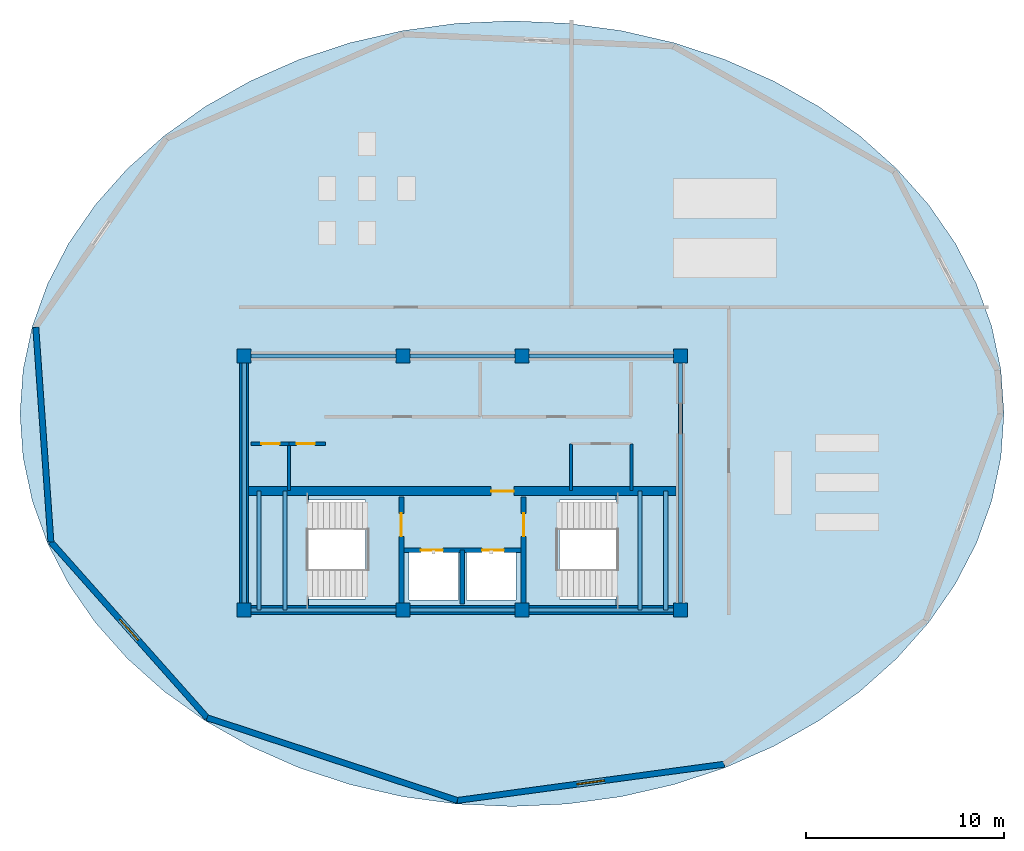
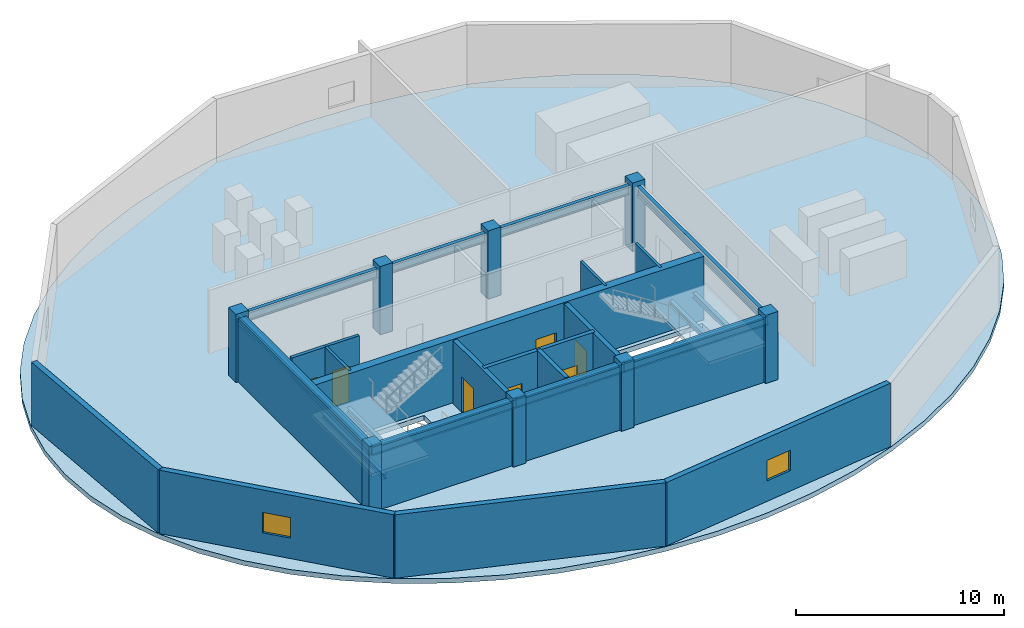
# One storey, part 1 of 5: 16 walls, 12 beams, 8 columns, 7 doors, 3 slabs, 2 windows, 9 openings, 2 elements without a shape of their own.
"""IFC4 building model written with IfcOpenShell, lengths in metres."""

from ifc_helpers import new_model, si_unit, direction, frame, frame_2d, origin, origin_2d, place, context, subcontext, project, spatial, polyline, rectangle, i_section, outline, extrude, material, layer, layer_set, material_profile, profile_set, type_object, element, fill, aggregate, save


model = new_model("IFC4")

# Units and contexts
model_context = context("Model", 3, precision=1e-05, world=origin(), true_north=direction((0.0, 1.0)))
body_context = subcontext(model_context, "Body", "Model", "MODEL_VIEW")
ifc_project = project(units=[si_unit("LENGTHUNIT", "METRE"), si_unit("AREAUNIT", "SQUARE_METRE"), si_unit("VOLUMEUNIT", "CUBIC_METRE"), si_unit("PLANEANGLEUNIT", "RADIAN"), si_unit("MASSUNIT", "GRAM", prefix="KILO")], contexts=[model_context])

# Site, building, storey
site_placement = place(None, origin())
site = spatial("IfcSite", under=ifc_project, at=site_placement, CompositionType="ELEMENT")
building_placement = place(site_placement, origin())
building = spatial("IfcBuilding", under=site, at=building_placement, Name="Kazevale Care Tower and Concert Hall", CompositionType="ELEMENT")
storey_placement = place(building_placement, frame((0.0, 0.0, 304.800048828125)))
storey = spatial("IfcBuildingStorey", under=building, at=storey_placement, Name="L80", CompositionType="ELEMENT", Elevation=304.800048828125)

# Columns
ifc_material_1 = material(Name="Concrete C50", Category="concrete")
ifc_material_profile_1 = material_profile(ifc_material_1, rectangle(XDim=0.699951171875, YDim=0.699951171875, at=origin_2d()), Name="RC-SQ700")
ifc_profile_set_1 = profile_set([ifc_material_profile_1], Name="Concrete C50")
column_type = type_object("IfcColumnType", Name="Core Column SQ700 C50", PredefinedType="COLUMN", material=ifc_profile_set_1)
for number, where, z_axis, x_axis, name in (
    (1, (22.0, 23.60009765625, 0.0), (0.0, 0.0, 1.0), (1.0, 0.0, 0.0), "col:L80:CC-01"),
    (2, (30.0, 23.60009765625, 0.0), (0.0, 0.0, 1.0), (1.0, 0.0, 0.0), "col:L80:CC-02"),
    (3, (36.0, 23.60009765625, 0.0), (0.0, 0.0, 1.0), (1.0, 0.0, 0.0), "col:L80:CC-03"),
    (4, (44.0, 23.60009765625, 0.0), (0.0, 0.0, 1.0), (1.0, 0.0, 0.0), "col:L80:CC-04"),
    (5, (44.0, 36.39990234375, 0.0), (0.0, 0.0, 1.0), (1.0, 0.0, 0.0), "col:L80:CC-05"),
    (6, (36.0, 36.39990234375, 0.0), (0.0, 0.0, 1.0), (1.0, 0.0, 0.0), "col:L80:CC-06"),
    (7, (30.0, 36.39990234375, 0.0), (0.0, 0.0, 1.0), (1.0, 0.0, 0.0), "col:L80:CC-07"),
    (8, (22.0, 36.39990234375, 0.0), (0.0, 0.0, 1.0), (1.0, 0.0, 0.0), "col:L80:CC-08"),
):
    element("IfcColumn", number, at=place(storey_placement, frame(where, z_axis=z_axis, x_axis=x_axis)), inside=storey, type_object=column_type, Name=name, PredefinedType="COLUMN", context=body_context, shape_type="SweptSolid", body=[
        extrude(rectangle(XDim=0.699951171875, YDim=0.699951171875, at=origin_2d()), origin(), (0.0, 0.0, 1.0), 4.0),
    ])

# Beams
ifc_material_2 = material(Name="Steel ASTM A572 Gr 50", Category="steel")
ifc_material_profile_2 = material_profile(ifc_material_2, i_section(OverallWidth=0.202880859375, OverallDepth=0.302978515625, WebThickness=0.007568359375, FlangeThickness=0.01318359375, at=origin_2d()), Name="W310x60")
ifc_profile_set_2 = profile_set([ifc_material_profile_2], Name="Steel ASTM A572 Gr 50")
beam_type_1 = type_object("IfcBeamType", Name="Stair & Balcony Trimmer W310x60", PredefinedType="BEAM", material=ifc_profile_set_2)
for number, where, z_axis, x_axis, name in (
    (9, (22.75, 23.60009765625, 1.6484375), (0.0, 1.0, 0.0), (-1.0, 0.0, 0.0), "beam:L80:sttrim:ST1"),
    (10, (24.050048828125, 23.60009765625, 1.6484375), (0.0, 1.0, 0.0), (-1.0, 0.0, 0.0), "beam:L80:sttrim:ST1b"),
    (11, (41.949951171875, 23.60009765625, 1.6484375), (0.0, 1.0, 0.0), (-1.0, 0.0, 0.0), "beam:L80:sttrim:ST2"),
    (12, (43.25, 23.60009765625, 1.6484375), (0.0, 1.0, 0.0), (-1.0, 0.0, 0.0), "beam:L80:sttrim:ST2b"),
):
    element("IfcBeam", number, at=place(storey_placement, frame(where, z_axis=z_axis, x_axis=x_axis)), inside=storey, type_object=beam_type_1, Name=name, PredefinedType="BEAM", context=body_context, shape_type="SweptSolid", body=[
        extrude(i_section(OverallWidth=0.202880859375, OverallDepth=0.302978515625, WebThickness=0.007568359375, FlangeThickness=0.01318359375, at=origin_2d()), origin(), (0.0, 0.0, 1.0), 6.0),
    ])
ifc_material_profile_3 = material_profile(ifc_material_2, i_section(OverallWidth=0.208984375, OverallDepth=0.532958984375, WebThickness=0.01025390625, FlangeThickness=0.015625, at=origin_2d()), Name="W530x92")
ifc_profile_set_3 = profile_set([ifc_material_profile_3], Name="Steel ASTM A572 Gr 50")
beam_type_2 = type_object("IfcBeamType", Name="Upper Ring Beam W530x92", PredefinedType="BEAM", material=ifc_profile_set_3)
beam_1_placement = place(storey_placement, frame((22.0, 23.60009765625, 3.453369140625), z_axis=(1.0, 0.0, 0.0), x_axis=(0.0, 1.0, 0.0)))
element("IfcBeam", 13, at=beam_1_placement, inside=storey, type_object=beam_type_2, Name="beam:L80:drum:1", PredefinedType="BEAM", context=body_context, shape_type="SweptSolid", body=[
    extrude(i_section(OverallWidth=0.208984375, OverallDepth=0.532958984375, WebThickness=0.01025390625, FlangeThickness=0.015625, at=origin_2d()), origin(), (0.0, 0.0, 1.0), 8.0),
])
beam_2_placement = place(storey_placement, frame((30.0, 23.60009765625, 3.453369140625), z_axis=(1.0, 0.0, 0.0), x_axis=(0.0, 1.0, 0.0)))
element("IfcBeam", 14, at=beam_2_placement, inside=storey, type_object=beam_type_2, Name="beam:L80:drum:2", PredefinedType="BEAM", context=body_context, shape_type="SweptSolid", body=[
    extrude(i_section(OverallWidth=0.208984375, OverallDepth=0.532958984375, WebThickness=0.01025390625, FlangeThickness=0.015625, at=origin_2d()), origin(), (0.0, 0.0, 1.0), 6.0),
])
beam_3_placement = place(storey_placement, frame((36.0, 23.60009765625, 3.453369140625), z_axis=(1.0, 0.0, 0.0), x_axis=(0.0, 1.0, 0.0)))
element("IfcBeam", 15, at=beam_3_placement, inside=storey, type_object=beam_type_2, Name="beam:L80:drum:3", PredefinedType="BEAM", context=body_context, shape_type="SweptSolid", body=[
    extrude(i_section(OverallWidth=0.208984375, OverallDepth=0.532958984375, WebThickness=0.01025390625, FlangeThickness=0.015625, at=origin_2d()), origin(), (0.0, 0.0, 1.0), 8.0),
])
beam_4_placement = place(storey_placement, frame((44.0, 23.60009765625, 3.453369140625), z_axis=(0.0, 1.0, 0.0), x_axis=(-1.0, 0.0, 0.0)))
element("IfcBeam", 16, at=beam_4_placement, inside=storey, type_object=beam_type_2, Name="beam:L80:drum:4", PredefinedType="BEAM", context=body_context, shape_type="SweptSolid", body=[
    extrude(i_section(OverallWidth=0.208984375, OverallDepth=0.532958984375, WebThickness=0.01025390625, FlangeThickness=0.015625, at=origin_2d()), origin(), (0.0, 0.0, 1.0), 12.7998046875),
])
beam_5_placement = place(storey_placement, frame((44.0, 36.39990234375, 3.453369140625), z_axis=(-1.0, 0.0, 0.0), x_axis=(0.0, -1.0, 0.0)))
element("IfcBeam", 17, at=beam_5_placement, inside=storey, type_object=beam_type_2, Name="beam:L80:drum:5", PredefinedType="BEAM", context=body_context, shape_type="SweptSolid", body=[
    extrude(i_section(OverallWidth=0.208984375, OverallDepth=0.532958984375, WebThickness=0.01025390625, FlangeThickness=0.015625, at=origin_2d()), origin(), (0.0, 0.0, 1.0), 8.0),
])
beam_6_placement = place(storey_placement, frame((36.0, 36.39990234375, 3.453369140625), z_axis=(-1.0, 0.0, 0.0), x_axis=(0.0, -1.0, 0.0)))
element("IfcBeam", 18, at=beam_6_placement, inside=storey, type_object=beam_type_2, Name="beam:L80:drum:6", PredefinedType="BEAM", context=body_context, shape_type="SweptSolid", body=[
    extrude(i_section(OverallWidth=0.208984375, OverallDepth=0.532958984375, WebThickness=0.01025390625, FlangeThickness=0.015625, at=origin_2d()), origin(), (0.0, 0.0, 1.0), 6.0),
])
beam_7_placement = place(storey_placement, frame((30.0, 36.39990234375, 3.453369140625), z_axis=(-1.0, 0.0, 0.0), x_axis=(0.0, -1.0, 0.0)))
element("IfcBeam", 19, at=beam_7_placement, inside=storey, type_object=beam_type_2, Name="beam:L80:drum:7", PredefinedType="BEAM", context=body_context, shape_type="SweptSolid", body=[
    extrude(i_section(OverallWidth=0.208984375, OverallDepth=0.532958984375, WebThickness=0.01025390625, FlangeThickness=0.015625, at=origin_2d()), origin(), (0.0, 0.0, 1.0), 8.0),
])
beam_8_placement = place(storey_placement, frame((22.0, 36.39990234375, 3.453369140625), z_axis=(0.0, -1.0, 0.0), x_axis=(1.0, 0.0, 0.0)))
element("IfcBeam", 20, at=beam_8_placement, inside=storey, type_object=beam_type_2, Name="beam:L80:drum:8", PredefinedType="BEAM", context=body_context, shape_type="SweptSolid", body=[
    extrude(i_section(OverallWidth=0.208984375, OverallDepth=0.532958984375, WebThickness=0.01025390625, FlangeThickness=0.015625, at=origin_2d()), origin(), (0.0, 0.0, 1.0), 12.7998046875),
])

# Slab
ifc_material_3 = material(Name="Concrete C40", Category="concrete")
ifc_layer_1 = layer(ifc_material_3, 0.280029296875)
ifc_layer_set_1 = layer_set([ifc_layer_1], Name="Concrete C40")
slab_type_1 = type_object("IfcSlabType", Name="Crown Plant Floor Slab 280", PredefinedType="FLOOR", material=ifc_layer_set_1)
slab_1_placement = place(storey_placement, frame((0.0, 0.0, -0.280029296875)))
element("IfcSlab", 21, at=slab_1_placement, inside=storey, type_object=slab_type_1, Name="slab:L80:tw:1", PredefinedType="FLOOR", context=body_context, shape_type="SweptSolid", body=[
    extrude(outline(polyline([(60.300048828125, 33.5), (60.14404296875, 35.716796875), (59.67822265625, 37.906005859375), (58.908203125, 40.03955078125), (57.843994140625, 42.0908203125), (56.498779296875, 44.0341796875), (54.889404296875, 45.84521484375), (53.0361328125, 47.500732421875), (50.96240234375, 48.980224609375), (48.6943359375, 50.26513671875), (46.26025390625, 51.339111328125), (43.69091796875, 52.18896484375), (41.0185546875, 52.8037109375), (38.276611328125, 53.175537109375), (35.5, 53.300048828125), (32.723388671875, 53.175537109375), (29.9814453125, 52.8037109375), (27.30908203125, 52.18896484375), (24.73974609375, 51.339111328125), (22.3056640625, 50.26513671875), (20.03759765625, 48.980224609375), (17.9638671875, 47.500732421875), (16.110595703125, 45.84521484375), (14.501220703125, 44.0341796875), (13.156005859375, 42.0908203125), (12.091796875, 40.03955078125), (11.32177734375, 37.906005859375), (10.85595703125, 35.716796875), (10.699951171875, 33.5), (10.85595703125, 31.283203125), (11.32177734375, 29.093994140625), (12.091796875, 26.96044921875), (13.156005859375, 24.9091796875), (14.501220703125, 22.9658203125), (16.110595703125, 21.15478515625), (17.9638671875, 19.499267578125), (20.03759765625, 18.019775390625), (22.3056640625, 16.73486328125), (24.73974609375, 15.660888671875), (27.30908203125, 14.81103515625), (29.9814453125, 14.1962890625), (32.723388671875, 13.824462890625), (35.5, 13.699951171875), (38.276611328125, 13.824462890625), (41.0185546875, 14.1962890625), (43.69091796875, 14.81103515625), (46.26025390625, 15.660888671875), (48.6943359375, 16.73486328125), (50.96240234375, 18.019775390625), (53.0361328125, 19.499267578125), (54.889404296875, 21.15478515625), (56.498779296875, 22.9658203125), (57.843994140625, 24.9091796875), (58.908203125, 26.96044921875), (59.67822265625, 29.093994140625), (60.14404296875, 31.283203125), (60.300048828125, 33.5)]), holes=[polyline([(22.449951171875, 24.14990234375), (28.110107421875, 24.14990234375), (28.110107421875, 29.14990234375), (22.449951171875, 29.14990234375), (22.449951171875, 24.14990234375)]), polyline([(37.889892578125, 24.14990234375), (43.550048828125, 24.14990234375), (43.550048828125, 29.14990234375), (37.889892578125, 29.14990234375), (37.889892578125, 24.14990234375)]), polyline([(30.300048828125, 24.10009765625), (32.800048828125, 24.10009765625), (32.800048828125, 26.60009765625), (30.300048828125, 26.60009765625), (30.300048828125, 24.10009765625)]), polyline([(33.199951171875, 24.10009765625), (35.699951171875, 24.10009765625), (35.699951171875, 26.60009765625), (33.199951171875, 26.60009765625), (33.199951171875, 24.10009765625)])]), origin(), (0.0, 0.0, 1.0), 0.280029296875),
])

# Stair, slab
stair_type = type_object("IfcStairType", Name="Exit Stair Assembly ST1-C", PredefinedType="HALF_TURN_STAIR", material=ifc_material_3)
stair_1_placement = place(storey_placement, origin())
stair_1 = element("IfcStair", 22, at=stair_1_placement, inside=storey, type_object=stair_type, Name="stair:L80:ST1", PredefinedType="HALF_TURN_STAIR")
ifc_layer_2 = layer(ifc_material_3, 0.199951171875)
ifc_layer_set_2 = layer_set([ifc_layer_2], Name="Concrete C40")
slab_type_2 = type_object("IfcSlabType", Name="Stair Half-Landing Slab ST1-C", PredefinedType="LANDING", material=ifc_layer_set_2)
slab_2_placement = place(storey_placement, frame((0.0, 0.0, 1.800048828125)))
slab_2 = element("IfcSlab", 23, at=slab_2_placement, type_object=slab_type_2, Name="ST1-C landing 1", PredefinedType="LANDING", context=body_context, shape_type="SweptSolid", body=[
    extrude(outline(polyline([(22.050048828125, 23.699951171875), (25.25, 23.699951171875), (25.25, 29.5), (22.050048828125, 29.5), (22.050048828125, 23.699951171875)])), origin(), (0.0, 0.0, 1.0), 0.199951171875),
])
aggregate(stair_1, [slab_2])

stair_2_placement = place(storey_placement, origin())
stair_2 = element("IfcStair", 24, at=stair_2_placement, inside=storey, type_object=stair_type, Name="stair:L80:ST2", PredefinedType="HALF_TURN_STAIR")
slab_3_placement = place(storey_placement, frame((0.0, 0.0, 1.800048828125)))
slab_3 = element("IfcSlab", 25, at=slab_3_placement, type_object=slab_type_2, Name="ST1-C landing 1", PredefinedType="LANDING", context=body_context, shape_type="SweptSolid", body=[
    extrude(outline(polyline([(40.75, 23.699951171875), (43.949951171875, 23.699951171875), (43.949951171875, 29.5), (40.75, 29.5), (40.75, 23.699951171875)])), origin(), (0.0, 0.0, 1.0), 0.199951171875),
])
aggregate(stair_2, [slab_3])

# Walls
ifc_material_4 = material(Name="Acoustic Gypsum on Steel Stud", Category="steel")
ifc_layer_3 = layer(ifc_material_4, 0.139892578125)
ifc_layer_set_3 = layer_set([ifc_layer_3], Name="Acoustic Gypsum on Steel Stud")
wall_type_1 = type_object("IfcWallType", Name="Acoustic Care & Suite Partition 140", PredefinedType="PARTITIONING", material=ifc_layer_set_3)
for number, where, z_axis, x_axis, name in (
    (26, (38.47998046875, 29.6201171875, 0.0), (0.0, 0.0, 1.0), (0.0, 1.0, 0.0), "wall:L80:kb_ew"),
    (27, (41.52001953125, 29.6201171875, 0.0), (0.0, 0.0, 1.0), (0.0, 1.0, 0.0), "wall:L80:kb_ee"),
):
    element("IfcWall", number, at=place(storey_placement, frame(where, z_axis=z_axis, x_axis=x_axis)), inside=storey, type_object=wall_type_1, Name=name, PredefinedType="PARTITIONING", context=body_context, shape_type="SweptSolid", body=[
        extrude(rectangle(XDim=2.35986328125, YDim=0.139892578125, at=frame_2d((1.179931640625, 0.0))), origin(), (0.0, 0.0, 1.0), 3.719970703125),
    ])
ifc_layer_4 = layer(ifc_material_1, 0.449951171875)
ifc_layer_set_4 = layer_set([ifc_layer_4], Name="Concrete C50")
wall_type_2 = type_object("IfcWallType", Name="Core Shear Wall 450 C50", PredefinedType="SHEAR", material=ifc_layer_set_4)
wall_1_placement = place(storey_placement, frame((21.77490234375, 23.60009765625, 0.0), z_axis=(0.0, 0.0, 1.0), x_axis=(1.0, 0.0, 0.0)))
element("IfcWall", 28, at=wall_1_placement, inside=storey, type_object=wall_type_2, Name="wall:L80:core:S", PredefinedType="SHEAR", context=body_context, shape_type="SweptSolid", body=[
    extrude(rectangle(XDim=22.4501953125, YDim=0.449951171875, at=frame_2d((11.22509765625, 0.0))), origin(), (0.0, 0.0, 1.0), 3.719970703125),
])
wall_2_placement = place(storey_placement, frame((22.0, 23.824951171875, 0.0), z_axis=(0.0, 0.0, 1.0), x_axis=(0.0, 1.0, 0.0)))
element("IfcWall", 29, at=wall_2_placement, inside=storey, type_object=wall_type_2, Name="wall:L80:core:W", PredefinedType="SHEAR", context=body_context, shape_type="SweptSolid", body=[
    extrude(rectangle(XDim=12.35009765625, YDim=0.449951171875, at=frame_2d((6.175048828125, 0.0))), origin(), (0.0, 0.0, 1.0), 3.719970703125),
])

# Wall, opening, door
wall_3_placement = place(storey_placement, frame((22.22509765625, 29.60009765625, 0.0), z_axis=(0.0, 0.0, 1.0), x_axis=(1.0, 0.0, 0.0)))
wall_3 = element("IfcWall", 30, at=wall_3_placement, inside=storey, type_object=wall_type_2, Name="wall:L80:core:M", PredefinedType="SHEAR", context=body_context, shape_type="SweptSolid", body=[
    extrude(rectangle(XDim=21.5498046875, YDim=0.449951171875, at=frame_2d((10.77490234375, 0.0))), origin(), (0.0, 0.0, 1.0), 3.719970703125),
])
opening_1_placement = place(wall_3_placement, frame((12.22509765625, 0.0, 0.0)))
opening_1 = element("IfcOpeningElement", 31, at=opening_1_placement, cuts=wall_3, Name="Opening FD-90", PredefinedType="OPENING", context=body_context, shape_type="SweptSolid", body=[
    extrude(rectangle(XDim=1.14990234375, YDim=2.10009765625, at=frame_2d((0.574951171875, 1.050048828125))), frame((0.0, 0.23486328125, 0.0), z_axis=(0.0, -1.0, 0.0), x_axis=(1.0, 0.0, 0.0)), (0.0, 0.0, 1.0), 0.469970703125),
])
door_type_1 = type_object("IfcDoorType", Name="Pressurized Stair & Lobby Fire Door 1150x2100", OperationType="NOTDEFINED", PredefinedType="DOOR", material=ifc_material_2)
door_1_placement = place(opening_1_placement, origin())
door_1 = element("IfcDoor", 32, at=door_1_placement, inside=storey, type_object=door_type_1, Name="door:L80:ff_to_pax", OperationType="SINGLE_SWING_LEFT", OverallHeight=2.10009765625, OverallWidth=1.14990234375, PredefinedType="DOOR", context=body_context, shape_type="SweptSolid", body=[
    extrude(rectangle(XDim=1.14990234375, YDim=2.10009765625, at=frame_2d((0.574951171875, 1.050048828125))), frame((0.0, 0.02490234375, 0.0), z_axis=(0.0, -1.0, 0.0), x_axis=(1.0, 0.0, 0.0)), (0.0, 0.0, 1.0), 0.050048828125),
])
fill(opening_1, door_1)

# Wall, opening, window
ifc_material_5 = material(Name="Concrete C40 with Honed Limestone Cladding", Category="masonry")
ifc_layer_5 = layer(ifc_material_5, 0.300048828125)
ifc_layer_set_5 = layer_set([ifc_layer_5], Name="Concrete C40 with Honed Limestone Cladding")
wall_type_3 = type_object("IfcWallType", Name="Crown Drum Louvred Stone Wall 300", PredefinedType="STANDARD", material=ifc_layer_set_5)
wall_4_placement = place(storey_placement, frame((46.196044921875, 15.8291015625, 0.0), z_axis=(0.0, 0.0, 1.0), x_axis=(-0.990927056791, -0.134400774248, 0.0)))
wall_4 = element("IfcWall", 33, at=wall_4_placement, inside=storey, type_object=wall_type_3, Name="wall:L80:drum:03", PredefinedType="STANDARD", context=body_context, shape_type="SweptSolid", body=[
    extrude(rectangle(XDim=13.580322265625, YDim=0.300048828125, at=frame_2d((6.7900390625, 0.0))), origin(), (0.0, 0.0, 1.0), 3.719970703125),
])
opening_2_placement = place(wall_4_placement, frame((6.090087890625, 0.0, 1.199951171875)))
opening_2 = element("IfcOpeningElement", 34, at=opening_2_placement, cuts=wall_4, Name="Opening WIN-4", PredefinedType="OPENING", context=body_context, shape_type="SweptSolid", body=[
    extrude(rectangle(XDim=1.39990234375, YDim=1.199951171875, at=frame_2d((0.699951171875, 0.60009765625))), frame((0.0, 0.159912109375, 0.0), z_axis=(0.0, -1.0, 0.0), x_axis=(1.0, 0.0, 0.0)), (0.0, 0.0, 1.0), 0.320068359375),
])
ifc_material_6 = material(Name="Aluminium 6063-T6", Category="aluminium")
window_type = type_object("IfcWindowType", Name="Crown Plant Louvred Window 1400x1200", PartitioningType="SINGLE_PANEL", PredefinedType="WINDOW", material=ifc_material_6)
window_1_placement = place(opening_2_placement, origin())
window_1 = element("IfcWindow", 35, at=window_1_placement, inside=storey, type_object=window_type, Name="win:L80:drum:03", OverallHeight=1.199951171875, OverallWidth=1.39990234375, PartitioningType="SINGLE_PANEL", PredefinedType="WINDOW", context=body_context, shape_type="SweptSolid", body=[
    extrude(rectangle(XDim=1.39990234375, YDim=1.199951171875, at=frame_2d((0.699951171875, 0.60009765625))), frame((0.0, 0.030029296875, 0.0), z_axis=(0.0, -1.0, 0.0), x_axis=(1.0, 0.0, 0.0)), (0.0, 0.0, 1.0), 0.06005859375),
])
fill(opening_2, window_1)

# Wall
wall_5_placement = place(storey_placement, frame((32.739013671875, 14.00390625, 0.0), z_axis=(0.0, 0.0, 1.0), x_axis=(-0.949436386168, 0.313959469709, 0.0)))
element("IfcWall", 36, at=wall_5_placement, inside=storey, type_object=wall_type_3, Name="wall:L80:drum:04", PredefinedType="STANDARD", context=body_context, shape_type="SweptSolid", body=[
    extrude(rectangle(XDim=13.2763671875, YDim=0.300048828125, at=frame_2d((6.63818359375, 0.0))), origin(), (0.0, 0.0, 1.0), 3.719970703125),
])

# Wall, opening, window
wall_6_placement = place(storey_placement, frame((20.134033203125, 18.172119140625, 0.0), z_axis=(0.0, 0.0, 1.0), x_axis=(-0.664394513906, 0.747382050822, 0.0)))
wall_6 = element("IfcWall", 37, at=wall_6_placement, inside=storey, type_object=wall_type_3, Name="wall:L80:drum:05", PredefinedType="STANDARD", context=body_context, shape_type="SweptSolid", body=[
    extrude(rectangle(XDim=11.85595703125, YDim=0.300048828125, at=frame_2d((5.927978515625, 0.0))), origin(), (0.0, 0.0, 1.0), 3.719970703125),
])
opening_3_placement = place(wall_6_placement, frame((5.22802734375, 0.0, 1.199951171875)))
opening_3 = element("IfcOpeningElement", 38, at=opening_3_placement, cuts=wall_6, Name="Opening WIN-4", PredefinedType="OPENING", context=body_context, shape_type="SweptSolid", body=[
    extrude(rectangle(XDim=1.39990234375, YDim=1.199951171875, at=frame_2d((0.699951171875, 0.60009765625))), frame((0.0, 0.159912109375, 0.0), z_axis=(0.0, -1.0, 0.0), x_axis=(1.0, 0.0, 0.0)), (0.0, 0.0, 1.0), 0.320068359375),
])
window_2_placement = place(opening_3_placement, origin())
window_2 = element("IfcWindow", 39, at=window_2_placement, inside=storey, type_object=window_type, Name="win:L80:drum:05", OverallHeight=1.199951171875, OverallWidth=1.39990234375, PartitioningType="SINGLE_PANEL", PredefinedType="WINDOW", context=body_context, shape_type="SweptSolid", body=[
    extrude(rectangle(XDim=1.39990234375, YDim=1.199951171875, at=frame_2d((0.699951171875, 0.60009765625))), frame((0.0, 0.030029296875, 0.0), z_axis=(0.0, -1.0, 0.0), x_axis=(1.0, 0.0, 0.0)), (0.0, 0.0, 1.0), 0.06005859375),
])
fill(opening_3, window_2)

# Wall
wall_7_placement = place(storey_placement, frame((12.257080078125, 27.032958984375, 0.0), z_axis=(0.0, 0.0, 1.0), x_axis=(-0.070228374331, 0.99753093959, 0.0)))
element("IfcWall", 40, at=wall_7_placement, inside=storey, type_object=wall_type_3, Name="wall:L80:drum:06", PredefinedType="STANDARD", context=body_context, shape_type="SweptSolid", body=[
    extrude(rectangle(XDim=10.849853515625, YDim=0.300048828125, at=frame_2d((5.4248046875, 0.0))), origin(), (0.0, 0.0, 1.0), 3.719970703125),
])

# Wall, openings, doors
ifc_layer_6 = layer(ifc_material_3, 0.219970703125)
ifc_layer_set_6 = layer_set([ifc_layer_6], Name="Concrete C40")
wall_type_4 = type_object("IfcWallType", Name="Elevator Hoistway Shaft Wall 220", PredefinedType="SOLIDWALL", material=ifc_layer_set_6)
wall_8_placement = place(storey_placement, frame((29.919921875, 26.6201171875, 0.0), z_axis=(0.0, 0.0, 1.0), x_axis=(1.0, 0.0, 0.0)))
wall_8 = element("IfcWall", 41, at=wall_8_placement, inside=storey, type_object=wall_type_4, Name="wall:L80:c_ffl_n", PredefinedType="SOLIDWALL", context=body_context, shape_type="SweptSolid", body=[
    extrude(rectangle(XDim=6.16015625, YDim=0.219970703125, at=frame_2d((3.080078125, 0.0))), origin(), (0.0, 0.0, 1.0), 3.719970703125),
])
opening_4_placement = place(wall_8_placement, frame((0.989990234375, 0.0, 0.0)))
opening_4 = element("IfcOpeningElement", 42, at=opening_4_placement, cuts=wall_8, Name="Opening LD-FF", PredefinedType="OPENING", context=body_context, shape_type="SweptSolid", body=[
    extrude(rectangle(XDim=1.10009765625, YDim=2.10009765625, at=frame_2d((0.550048828125, 1.050048828125))), frame((0.0, 0.119873046875, 0.0), z_axis=(0.0, -1.0, 0.0), x_axis=(1.0, 0.0, 0.0)), (0.0, 0.0, 1.0), 0.239990234375),
])
opening_5_placement = place(wall_8_placement, frame((4.070068359375, 0.0, 0.0)))
opening_5 = element("IfcOpeningElement", 43, at=opening_5_placement, cuts=wall_8, Name="Opening LD-FF", PredefinedType="OPENING", context=body_context, shape_type="SweptSolid", body=[
    extrude(rectangle(XDim=1.10009765625, YDim=2.10009765625, at=frame_2d((0.550048828125, 1.050048828125))), frame((0.0, 0.119873046875, 0.0), z_axis=(0.0, -1.0, 0.0), x_axis=(1.0, 0.0, 0.0)), (0.0, 0.0, 1.0), 0.239990234375),
])
ifc_material_7 = material(Name="Stainless Steel 316", Category="steel")
door_type_2 = type_object("IfcDoorType", Name="Emergency Lift Sliding Landing Door 1100x2100", OperationType="NOTDEFINED", PredefinedType="DOOR", material=ifc_material_7)
door_2_placement = place(opening_4_placement, origin())
door_2 = element("IfcDoor", 44, at=door_2_placement, inside=storey, type_object=door_type_2, Name="door:L80:ld_ffl1", OperationType="SLIDING_TO_LEFT", OverallHeight=2.10009765625, OverallWidth=1.10009765625, PredefinedType="DOOR", context=body_context, shape_type="SweptSolid", body=[
    extrude(rectangle(XDim=1.10009765625, YDim=2.10009765625, at=frame_2d((0.550048828125, 1.050048828125))), frame((0.0, 0.02490234375, 0.0), z_axis=(0.0, -1.0, 0.0), x_axis=(1.0, 0.0, 0.0)), (0.0, 0.0, 1.0), 0.050048828125),
])
fill(opening_4, door_2)
door_3_placement = place(opening_5_placement, origin())
door_3 = element("IfcDoor", 45, at=door_3_placement, inside=storey, type_object=door_type_2, Name="door:L80:ld_ffl2", OperationType="SLIDING_TO_RIGHT", OverallHeight=2.10009765625, OverallWidth=1.10009765625, PredefinedType="DOOR", context=body_context, shape_type="SweptSolid", body=[
    extrude(rectangle(XDim=1.10009765625, YDim=2.10009765625, at=frame_2d((0.550048828125, 1.050048828125))), frame((0.0, 0.02490234375, 0.0), z_axis=(0.0, -1.0, 0.0), x_axis=(1.0, 0.0, 0.0)), (0.0, 0.0, 1.0), 0.050048828125),
])
fill(opening_5, door_3)

# Wall
wall_9_placement = place(storey_placement, frame((33.0, 23.89990234375, 0.0), z_axis=(0.0, 0.0, 1.0), x_axis=(0.0, 1.0, 0.0)))
element("IfcWall", 46, at=wall_9_placement, inside=storey, type_object=wall_type_4, Name="wall:L80:c_ffl_m", PredefinedType="SOLIDWALL", context=body_context, shape_type="SweptSolid", body=[
    extrude(rectangle(XDim=2.72021484375, YDim=0.219970703125, at=frame_2d((1.360107421875, 0.0))), origin(), (0.0, 0.0, 1.0), 3.719970703125),
])

# Wall, opening, door
ifc_material_8 = material(Name="Concrete C40 and Acoustic Gypsum", Category="concrete")
ifc_layer_7 = layer(ifc_material_8, 0.179931640625)
ifc_layer_set_7 = layer_set([ifc_layer_7], Name="Concrete C40 and Acoustic Gypsum")
wall_type_5 = type_object("IfcWallType", Name="Fire-Rated Corridor & Party Wall 180", PredefinedType="PARTITIONING", material=ifc_layer_set_7)
wall_10_placement = place(storey_placement, frame((22.35009765625, 31.97998046875, 0.0), z_axis=(0.0, 0.0, 1.0), x_axis=(1.0, 0.0, 0.0)))
wall_10 = element("IfcWall", 47, at=wall_10_placement, inside=storey, type_object=wall_type_5, Name="wall:L80:kb_wn0", PredefinedType="PARTITIONING", context=body_context, shape_type="SweptSolid", body=[
    extrude(rectangle(XDim=1.909912109375, YDim=0.179931640625, at=frame_2d((0.955078125, 0.0))), origin(), (0.0, 0.0, 1.0), 3.719970703125),
])
opening_6_placement = place(wall_10_placement, frame((0.514892578125, 0.0, 0.0)))
opening_6 = element("IfcOpeningElement", 48, at=opening_6_placement, cuts=wall_10, Name="Opening ID-900", PredefinedType="OPENING", context=body_context, shape_type="SweptSolid", body=[
    extrude(rectangle(XDim=0.919921875, YDim=2.10009765625, at=frame_2d((0.4599609375, 1.050048828125))), frame((0.0, 0.099853515625, 0.0), z_axis=(0.0, -1.0, 0.0), x_axis=(1.0, 0.0, 0.0)), (0.0, 0.0, 1.0), 0.199951171875),
])
ifc_material_9 = material(Name="Oak Timber Fire Leaf", Category="wood")
door_type_3 = type_object("IfcDoorType", Name="Bathroom & Service Door 920x2100", OperationType="NOTDEFINED", PredefinedType="DOOR", material=ifc_material_9)
door_4_placement = place(opening_6_placement, origin())
door_4 = element("IfcDoor", 49, at=door_4_placement, inside=storey, type_object=door_type_3, Name="door:L80:d_kbw1", OperationType="SINGLE_SWING_LEFT", OverallHeight=2.10009765625, OverallWidth=0.919921875, PredefinedType="DOOR", context=body_context, shape_type="SweptSolid", body=[
    extrude(rectangle(XDim=0.919921875, YDim=2.10009765625, at=frame_2d((0.4599609375, 1.050048828125))), frame((0.0, 0.02490234375, 0.0), z_axis=(0.0, -1.0, 0.0), x_axis=(1.0, 0.0, 0.0)), (0.0, 0.0, 1.0), 0.050048828125),
])
fill(opening_6, door_4)

# Wall
ifc_layer_8 = layer(ifc_material_4, 0.159912109375)
ifc_layer_set_8 = layer_set([ifc_layer_8], Name="Acoustic Gypsum on Steel Stud")
wall_type_6 = type_object("IfcWallType", Name="Moisture-Resistant Bathroom Plumbing Wall 160", PredefinedType="PLUMBINGWALL", material=ifc_layer_set_8)
wall_11_placement = place(storey_placement, frame((24.260009765625, 29.6201171875, 0.0), z_axis=(0.0, 0.0, 1.0), x_axis=(0.0, 1.0, 0.0)))
element("IfcWall", 50, at=wall_11_placement, inside=storey, type_object=wall_type_6, Name="wall:L80:kb_we1", PredefinedType="PLUMBINGWALL", context=body_context, shape_type="SweptSolid", body=[
    extrude(rectangle(XDim=2.35986328125, YDim=0.159912109375, at=frame_2d((1.179931640625, 0.0))), origin(), (0.0, 0.0, 1.0), 3.719970703125),
])

# Wall, opening, door
wall_12_placement = place(storey_placement, frame((24.260009765625, 31.97998046875, 0.0), z_axis=(0.0, 0.0, 1.0), x_axis=(1.0, 0.0, 0.0)))
wall_12 = element("IfcWall", 51, at=wall_12_placement, inside=storey, type_object=wall_type_6, Name="wall:L80:kb_wn1", PredefinedType="PLUMBINGWALL", context=body_context, shape_type="SweptSolid", body=[
    extrude(rectangle(XDim=1.840087890625, YDim=0.159912109375, at=frame_2d((0.919921875, 0.0))), origin(), (0.0, 0.0, 1.0), 3.719970703125),
])
opening_7_placement = place(wall_12_placement, frame((0.387939453125, 0.0, 0.0)))
opening_7 = element("IfcOpeningElement", 52, at=opening_7_placement, cuts=wall_12, Name="Opening ID-900", PredefinedType="OPENING", context=body_context, shape_type="SweptSolid", body=[
    extrude(rectangle(XDim=0.919921875, YDim=2.10009765625, at=frame_2d((0.4599609375, 1.050048828125))), frame((0.0, 0.08984375, 0.0), z_axis=(0.0, -1.0, 0.0), x_axis=(1.0, 0.0, 0.0)), (0.0, 0.0, 1.0), 0.179931640625),
])
door_5_placement = place(opening_7_placement, origin())
door_5 = element("IfcDoor", 53, at=door_5_placement, inside=storey, type_object=door_type_3, Name="door:L80:d_kbw2", OperationType="SINGLE_SWING_RIGHT", OverallHeight=2.10009765625, OverallWidth=0.919921875, PredefinedType="DOOR", context=body_context, shape_type="SweptSolid", body=[
    extrude(rectangle(XDim=0.919921875, YDim=2.10009765625, at=frame_2d((0.4599609375, 1.050048828125))), frame((0.0, 0.02490234375, 0.0), z_axis=(0.0, -1.0, 0.0), x_axis=(1.0, 0.0, 0.0)), (0.0, 0.0, 1.0), 0.050048828125),
])
fill(opening_7, door_5)

ifc_layer_9 = layer(ifc_material_3, 0.25)
ifc_layer_set_9 = layer_set([ifc_layer_9], Name="Concrete C40")
wall_type_7 = type_object("IfcWallType", Name="Pressurized Stair Shaft Wall 250", PredefinedType="SOLIDWALL", material=ifc_layer_set_9)
wall_13_placement = place(storey_placement, frame((29.919921875, 23.89990234375, 0.0), z_axis=(0.0, 0.0, 1.0), x_axis=(0.0, 1.0, 0.0)))
wall_13 = element("IfcWall", 54, at=wall_13_placement, inside=storey, type_object=wall_type_7, Name="wall:L80:c_st1_e", PredefinedType="SOLIDWALL", context=body_context, shape_type="SweptSolid", body=[
    extrude(rectangle(XDim=5.400146484375, YDim=0.25, at=frame_2d((2.7001953125, 0.0))), origin(), (0.0, 0.0, 1.0), 3.719970703125),
])
opening_8_placement = place(wall_13_placement, frame((3.4208984375, 0.0, 0.0)))
opening_8 = element("IfcOpeningElement", 55, at=opening_8_placement, cuts=wall_13, Name="Opening FD-90", PredefinedType="OPENING", context=body_context, shape_type="SweptSolid", body=[
    extrude(rectangle(XDim=1.14990234375, YDim=2.10009765625, at=frame_2d((0.574951171875, 1.050048828125))), frame((0.0, 0.135009765625, 0.0), z_axis=(0.0, -1.0, 0.0), x_axis=(1.0, 0.0, 0.0)), (0.0, 0.0, 1.0), 0.27001953125),
])
door_6_placement = place(opening_8_placement, origin())
door_6 = element("IfcDoor", 56, at=door_6_placement, inside=storey, type_object=door_type_1, Name="door:L80:st1", OperationType="SINGLE_SWING_RIGHT", OverallHeight=2.10009765625, OverallWidth=1.14990234375, PredefinedType="DOOR", context=body_context, shape_type="SweptSolid", body=[
    extrude(rectangle(XDim=1.14990234375, YDim=2.10009765625, at=frame_2d((0.574951171875, 1.050048828125))), frame((0.0, 0.02490234375, 0.0), z_axis=(0.0, -1.0, 0.0), x_axis=(1.0, 0.0, 0.0)), (0.0, 0.0, 1.0), 0.050048828125),
])
fill(opening_8, door_6)

wall_14_placement = place(storey_placement, frame((36.080078125, 23.89990234375, 0.0), z_axis=(0.0, 0.0, 1.0), x_axis=(0.0, 1.0, 0.0)))
wall_14 = element("IfcWall", 57, at=wall_14_placement, inside=storey, type_object=wall_type_7, Name="wall:L80:c_st2_w", PredefinedType="SOLIDWALL", context=body_context, shape_type="SweptSolid", body=[
    extrude(rectangle(XDim=5.400146484375, YDim=0.25, at=frame_2d((2.7001953125, 0.0))), origin(), (0.0, 0.0, 1.0), 3.719970703125),
])
opening_9_placement = place(wall_14_placement, frame((3.4208984375, 0.0, 0.0)))
opening_9 = element("IfcOpeningElement", 58, at=opening_9_placement, cuts=wall_14, Name="Opening FD-90", PredefinedType="OPENING", context=body_context, shape_type="SweptSolid", body=[
    extrude(rectangle(XDim=1.14990234375, YDim=2.10009765625, at=frame_2d((0.574951171875, 1.050048828125))), frame((0.0, 0.135009765625, 0.0), z_axis=(0.0, -1.0, 0.0), x_axis=(1.0, 0.0, 0.0)), (0.0, 0.0, 1.0), 0.27001953125),
])
door_7_placement = place(opening_9_placement, origin())
door_7 = element("IfcDoor", 59, at=door_7_placement, inside=storey, type_object=door_type_1, Name="door:L80:st2", OperationType="SINGLE_SWING_LEFT", OverallHeight=2.10009765625, OverallWidth=1.14990234375, PredefinedType="DOOR", context=body_context, shape_type="SweptSolid", body=[
    extrude(rectangle(XDim=1.14990234375, YDim=2.10009765625, at=frame_2d((0.574951171875, 1.050048828125))), frame((0.0, 0.02490234375, 0.0), z_axis=(0.0, -1.0, 0.0), x_axis=(1.0, 0.0, 0.0)), (0.0, 0.0, 1.0), 0.050048828125),
])
fill(opening_9, door_7)

save(model, "model.ifc")
